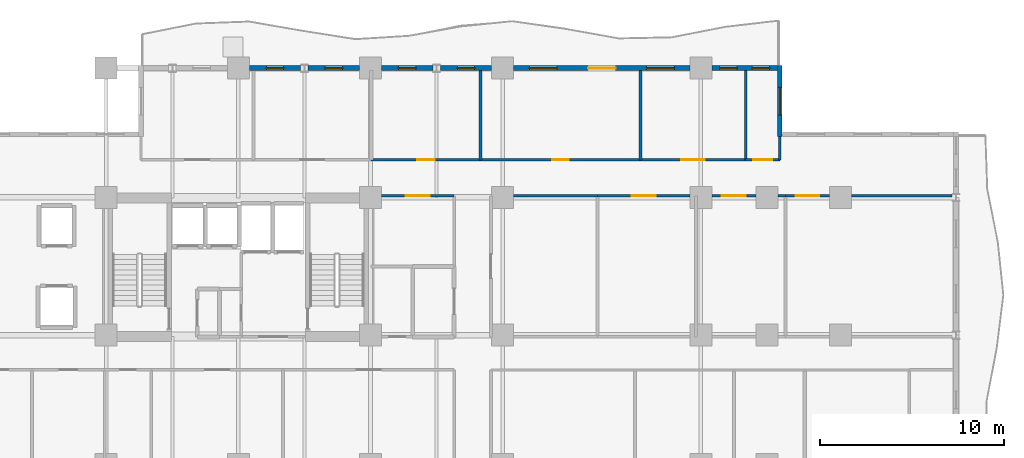
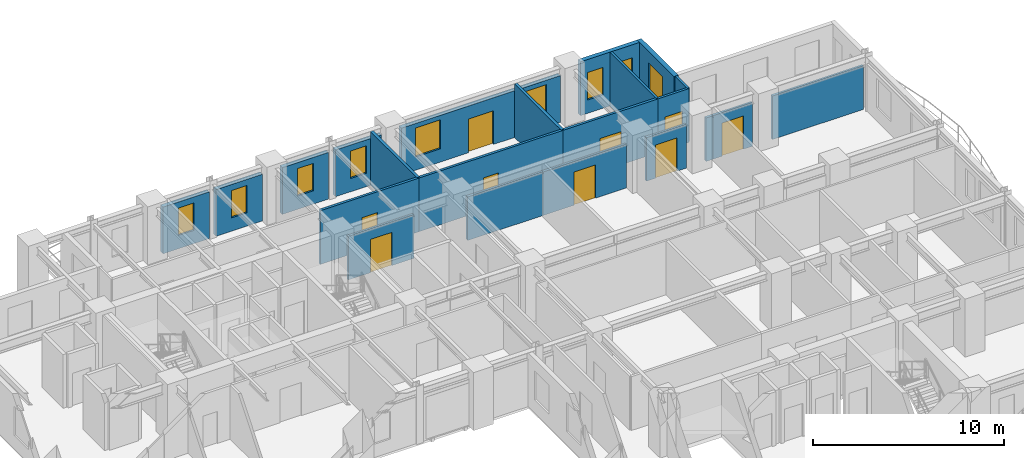
# One storey, part 7 of 11: 22 walls, 9 doors, 9 windows, 18 openings.
"""IFC4 building model written with IfcOpenShell, lengths in metres."""

from ifc_helpers import new_model, si_unit, direction, frame, frame_2d, origin, place, context, subcontext, project, spatial, rectangle, extrude, material, layer, layer_set, type_object, element, fill, save


model = new_model("IFC4")

# Units and contexts
model_context = context("Model", 3, precision=1e-05, world=origin(), true_north=direction((0.0, 1.0)))
body_context = subcontext(model_context, "Body", "Model", "MODEL_VIEW")
ifc_project = project(units=[si_unit("LENGTHUNIT", "METRE"), si_unit("AREAUNIT", "SQUARE_METRE"), si_unit("VOLUMEUNIT", "CUBIC_METRE"), si_unit("PLANEANGLEUNIT", "RADIAN"), si_unit("MASSUNIT", "GRAM", prefix="KILO")], contexts=[model_context])

# Site, building, storey
site_placement = place(None, origin())
site = spatial("IfcSite", under=ifc_project, at=site_placement, CompositionType="ELEMENT")
building_placement = place(site_placement, origin())
building = spatial("IfcBuilding", under=site, at=building_placement, Name="Kaliganga Portal Commons", CompositionType="ELEMENT")
storey_placement = place(building_placement, frame((0.0, 0.0, 111.89990234375)))
storey = spatial("IfcBuildingStorey", under=building, at=storey_placement, Name="L28", CompositionType="ELEMENT", Elevation=111.89990234375)

# Wall, opening, window
ifc_material_1 = material(Name="Insulated Aluminium-Clad Spandrel Assembly", Category="aluminium")
ifc_layer_1 = layer(ifc_material_1, 0.260009765625)
ifc_layer_set_1 = layer_set([ifc_layer_1], Name="Insulated Aluminium-Clad Spandrel Assembly")
wall_type_1 = type_object("IfcWallType", Name="WL-EXT-SPAND-260", PredefinedType="STANDARD", material=ifc_layer_set_1)
wall_1_placement = place(storey_placement, frame((51.10009765625, 43.330078125, 0.0), z_axis=(0.0, 0.0, 1.0), x_axis=(0.0, -1.0, 0.0)))
wall_1 = element("IfcWall", 1, at=wall_1_placement, inside=storey, type_object=wall_type_1, Name="Exterior Envelope Wall L28 P1-E05-S1", PredefinedType="STANDARD", context=body_context, shape_type="SweptSolid", body=[
    extrude(rectangle(XDim=3.860107421875, YDim=0.260009765625, at=frame_2d((1.93017578125, 0.0))), origin(), (0.0, 0.0, 1.0), 3.43017578125),
])
opening_1_placement = place(wall_1_placement, frame((1.179931640625, 0.0, 0.85009765625)))
opening_1 = element("IfcOpeningElement", 2, at=opening_1_placement, cuts=wall_1, Name="Opening W-02", PredefinedType="OPENING", context=body_context, shape_type="SweptSolid", body=[
    extrude(rectangle(XDim=1.5, YDim=1.85009765625, at=frame_2d((0.75, 0.925048828125))), frame((0.0, 0.14013671875, 0.0), z_axis=(0.0, -1.0, 0.0), x_axis=(1.0, 0.0, 0.0)), (0.0, 0.0, 1.0), 0.280029296875),
])
ifc_material_2 = material(Name="Thermally Broken Aluminium and Low-E Double Glazing", Category="aluminium")
window_type_1 = type_object("IfcWindowType", Name="WIN-STD-1500", PartitioningType="DOUBLE_PANEL_VERTICAL", PredefinedType="WINDOW", material=ifc_material_2)
window_1_placement = place(opening_1_placement, origin())
window_1 = element("IfcWindow", 3, at=window_1_placement, inside=storey, type_object=window_type_1, Name="Facade Window L28-P1E05S1-00", OverallHeight=1.85009765625, OverallWidth=1.5, PartitioningType="SINGLE_PANEL", PredefinedType="WINDOW", context=body_context, shape_type="SweptSolid", body=[
    extrude(rectangle(XDim=1.5, YDim=1.85009765625, at=frame_2d((0.75, 0.925048828125))), frame((0.0, 0.030029296875, 0.0), z_axis=(0.0, -1.0, 0.0), x_axis=(1.0, 0.0, 0.0)), (0.0, 0.0, 1.0), 0.06005859375),
])
fill(opening_1, window_1)

# Wall, openings, windows
wall_2_placement = place(storey_placement, frame((47.40087890625, 43.199951171875, 0.0), z_axis=(0.0, 0.0, 1.0), x_axis=(1.0, 0.0, 0.0)))
wall_2 = element("IfcWall", 4, at=wall_2_placement, inside=storey, type_object=wall_type_1, Name="Exterior Envelope Wall L28 P1-E06-S1", PredefinedType="STANDARD", context=body_context, shape_type="SweptSolid", body=[
    extrude(rectangle(XDim=3.564208984375, YDim=0.260009765625, at=frame_2d((1.7822265625, 0.0))), origin(), (0.0, 0.0, 1.0), 3.43017578125),
])
opening_2_placement = place(wall_2_placement, frame((0.423095703125, 0.0, 0.85009765625)))
opening_2 = element("IfcOpeningElement", 5, at=opening_2_placement, cuts=wall_2, Name="Opening W-04", PredefinedType="OPENING", context=body_context, shape_type="SweptSolid", body=[
    extrude(rectangle(XDim=0.949951171875, YDim=1.75, at=frame_2d((0.47509765625, 0.875))), frame((0.0, 0.14013671875, 0.0), z_axis=(0.0, -1.0, 0.0), x_axis=(1.0, 0.0, 0.0)), (0.0, 0.0, 1.0), 0.280029296875),
])
opening_3_placement = place(wall_2_placement, frame((2.19091796875, 0.0, 0.85009765625)))
opening_3 = element("IfcOpeningElement", 6, at=opening_3_placement, cuts=wall_2, Name="Opening W-04", PredefinedType="OPENING", context=body_context, shape_type="SweptSolid", body=[
    extrude(rectangle(XDim=0.949951171875, YDim=1.75, at=frame_2d((0.47509765625, 0.875))), frame((0.0, 0.14013671875, 0.0), z_axis=(0.0, -1.0, 0.0), x_axis=(1.0, 0.0, 0.0)), (0.0, 0.0, 1.0), 0.280029296875),
])
window_type_2 = type_object("IfcWindowType", Name="WIN-NARROW-950", PartitioningType="SINGLE_PANEL", PredefinedType="WINDOW", material=ifc_material_2)
window_2_placement = place(opening_2_placement, origin())
window_2 = element("IfcWindow", 7, at=window_2_placement, inside=storey, type_object=window_type_2, Name="Facade Window L28-P1E06S1-N1", OverallHeight=1.75, OverallWidth=0.949951171875, PartitioningType="SINGLE_PANEL", PredefinedType="WINDOW", context=body_context, shape_type="SweptSolid", body=[
    extrude(rectangle(XDim=0.949951171875, YDim=1.75, at=frame_2d((0.47509765625, 0.875))), frame((0.0, 0.030029296875, 0.0), z_axis=(0.0, -1.0, 0.0), x_axis=(1.0, 0.0, 0.0)), (0.0, 0.0, 1.0), 0.06005859375),
])
fill(opening_2, window_2)
window_3_placement = place(opening_3_placement, origin())
window_3 = element("IfcWindow", 8, at=window_3_placement, inside=storey, type_object=window_type_2, Name="Facade Window L28-P1E06S1-N2", OverallHeight=1.75, OverallWidth=0.949951171875, PartitioningType="SINGLE_PANEL", PredefinedType="WINDOW", context=body_context, shape_type="SweptSolid", body=[
    extrude(rectangle(XDim=0.949951171875, YDim=1.75, at=frame_2d((0.47509765625, 0.875))), frame((0.0, 0.030029296875, 0.0), z_axis=(0.0, -1.0, 0.0), x_axis=(1.0, 0.0, 0.0)), (0.0, 0.0, 1.0), 0.06005859375),
])
fill(opening_3, window_3)

# Wall, openings, door, windows
wall_3_placement = place(storey_placement, frame((36.60107421875, 43.199951171875, 0.0), z_axis=(0.0, 0.0, 1.0), x_axis=(1.0, 0.0, 0.0)))
wall_3 = element("IfcWall", 9, at=wall_3_placement, inside=storey, type_object=wall_type_1, Name="Exterior Envelope Wall L28 P1-E06-S2", PredefinedType="STANDARD", context=body_context, shape_type="SweptSolid", body=[
    extrude(rectangle(XDim=9.597900390625, YDim=0.260009765625, at=frame_2d((4.798828125, 0.0))), origin(), (0.0, 0.0, 1.0), 2.97998046875),
])
opening_4_placement = place(wall_3_placement, frame((4.049072265625, 0.0, 0.0)))
opening_4 = element("IfcOpeningElement", 10, at=opening_4_placement, cuts=wall_3, Name="Opening BD-01", PredefinedType="OPENING", context=body_context, shape_type="SweptSolid", body=[
    extrude(rectangle(XDim=1.5, YDim=2.14990234375, at=frame_2d((0.75, 1.074951171875))), frame((0.0, 0.14013671875, 0.0), z_axis=(0.0, -1.0, 0.0), x_axis=(1.0, 0.0, 0.0)), (0.0, 0.0, 1.0), 0.280029296875),
])
opening_5_placement = place(wall_3_placement, frame((0.849609375, 0.0, 0.85009765625)))
opening_5 = element("IfcOpeningElement", 11, at=opening_5_placement, cuts=wall_3, Name="Opening W-02", PredefinedType="OPENING", context=body_context, shape_type="SweptSolid", body=[
    extrude(rectangle(XDim=1.5, YDim=1.85009765625, at=frame_2d((0.75, 0.925048828125))), frame((0.0, 0.14013671875, 0.0), z_axis=(0.0, -1.0, 0.0), x_axis=(1.0, 0.0, 0.0)), (0.0, 0.0, 1.0), 0.280029296875),
])
opening_6_placement = place(wall_3_placement, frame((7.248291015625, 0.0, 0.85009765625)))
opening_6 = element("IfcOpeningElement", 12, at=opening_6_placement, cuts=wall_3, Name="Opening W-02", PredefinedType="OPENING", context=body_context, shape_type="SweptSolid", body=[
    extrude(rectangle(XDim=1.5, YDim=1.85009765625, at=frame_2d((0.75, 0.925048828125))), frame((0.0, 0.14013671875, 0.0), z_axis=(0.0, -1.0, 0.0), x_axis=(1.0, 0.0, 0.0)), (0.0, 0.0, 1.0), 0.280029296875),
])
ifc_material_3 = material(Name="Anodized Aluminium and Laminated Safety Glass", Category="aluminium")
door_type_1 = type_object("IfcDoorType", Name="DR-BALC-1500", OperationType="SLIDING_TO_LEFT", PredefinedType="DOOR", material=ifc_material_3)
door_1_placement = place(opening_4_placement, origin())
door_1 = element("IfcDoor", 13, at=door_1_placement, inside=storey, type_object=door_type_1, Name="Balcony Sliding Door L28 balc_north", OperationType="SLIDING_TO_LEFT", OverallHeight=2.14990234375, OverallWidth=1.5, PredefinedType="DOOR", context=body_context, shape_type="SweptSolid", body=[
    extrude(rectangle(XDim=1.5, YDim=2.14990234375, at=frame_2d((0.75, 1.074951171875))), frame((0.0, 0.02490234375, 0.0), z_axis=(0.0, -1.0, 0.0), x_axis=(1.0, 0.0, 0.0)), (0.0, 0.0, 1.0), 0.050048828125),
])
fill(opening_4, door_1)
window_4_placement = place(opening_5_placement, origin())
window_4 = element("IfcWindow", 14, at=window_4_placement, inside=storey, type_object=window_type_1, Name="Facade Window L28-P1E06S2-00", OverallHeight=1.85009765625, OverallWidth=1.5, PartitioningType="SINGLE_PANEL", PredefinedType="WINDOW", context=body_context, shape_type="SweptSolid", body=[
    extrude(rectangle(XDim=1.5, YDim=1.85009765625, at=frame_2d((0.75, 0.925048828125))), frame((0.0, 0.030029296875, 0.0), z_axis=(0.0, -1.0, 0.0), x_axis=(1.0, 0.0, 0.0)), (0.0, 0.0, 1.0), 0.06005859375),
])
fill(opening_5, window_4)
window_5_placement = place(opening_6_placement, origin())
window_5 = element("IfcWindow", 15, at=window_5_placement, inside=storey, type_object=window_type_1, Name="Facade Window L28-P1E06S2-02", OverallHeight=1.85009765625, OverallWidth=1.5, PartitioningType="SINGLE_PANEL", PredefinedType="WINDOW", context=body_context, shape_type="SweptSolid", body=[
    extrude(rectangle(XDim=1.5, YDim=1.85009765625, at=frame_2d((0.75, 0.925048828125))), frame((0.0, 0.030029296875, 0.0), z_axis=(0.0, -1.0, 0.0), x_axis=(1.0, 0.0, 0.0)), (0.0, 0.0, 1.0), 0.06005859375),
])
fill(opening_6, window_5)

# Wall, opening, window
wall_4_placement = place(storey_placement, frame((32.60546875, 43.199951171875, 0.0), z_axis=(0.0, 0.0, 1.0), x_axis=(1.0, 0.0, 0.0)))
wall_4 = element("IfcWall", 16, at=wall_4_placement, inside=storey, type_object=wall_type_1, Name="Exterior Envelope Wall L28 P1-E06-S3", PredefinedType="STANDARD", context=body_context, shape_type="SweptSolid", body=[
    extrude(rectangle(XDim=2.79345703125, YDim=0.260009765625, at=frame_2d((1.396728515625, 0.0))), origin(), (0.0, 0.0, 1.0), 2.97998046875),
])
opening_7_placement = place(wall_4_placement, frame((0.921875, 0.0, 0.85009765625)))
opening_7 = element("IfcOpeningElement", 17, at=opening_7_placement, cuts=wall_4, Name="Opening W-04", PredefinedType="OPENING", context=body_context, shape_type="SweptSolid", body=[
    extrude(rectangle(XDim=0.949951171875, YDim=1.75, at=frame_2d((0.47509765625, 0.875))), frame((0.0, 0.14013671875, 0.0), z_axis=(0.0, -1.0, 0.0), x_axis=(1.0, 0.0, 0.0)), (0.0, 0.0, 1.0), 0.280029296875),
])
window_6_placement = place(opening_7_placement, origin())
window_6 = element("IfcWindow", 18, at=window_6_placement, inside=storey, type_object=window_type_2, Name="Facade Window L28-P1E06S3-00", OverallHeight=1.75, OverallWidth=0.949951171875, PartitioningType="SINGLE_PANEL", PredefinedType="WINDOW", context=body_context, shape_type="SweptSolid", body=[
    extrude(rectangle(XDim=0.949951171875, YDim=1.75, at=frame_2d((0.47509765625, 0.875))), frame((0.0, 0.030029296875, 0.0), z_axis=(0.0, -1.0, 0.0), x_axis=(1.0, 0.0, 0.0)), (0.0, 0.0, 1.0), 0.06005859375),
])
fill(opening_7, window_6)

wall_5_placement = place(storey_placement, frame((29.40087890625, 43.199951171875, 0.0), z_axis=(0.0, 0.0, 1.0), x_axis=(1.0, 0.0, 0.0)))
wall_5 = element("IfcWall", 19, at=wall_5_placement, inside=storey, type_object=wall_type_1, Name="Exterior Envelope Wall L28 P1-E06-S4", PredefinedType="STANDARD", context=body_context, shape_type="SweptSolid", body=[
    extrude(rectangle(XDim=2.793701171875, YDim=0.260009765625, at=frame_2d((1.39697265625, 0.0))), origin(), (0.0, 0.0, 1.0), 2.97998046875),
])
opening_8_placement = place(wall_5_placement, frame((0.921630859375, 0.0, 0.85009765625)))
opening_8 = element("IfcOpeningElement", 20, at=opening_8_placement, cuts=wall_5, Name="Opening W-04", PredefinedType="OPENING", context=body_context, shape_type="SweptSolid", body=[
    extrude(rectangle(XDim=0.949951171875, YDim=1.75, at=frame_2d((0.47509765625, 0.875))), frame((0.0, 0.14013671875, 0.0), z_axis=(0.0, -1.0, 0.0), x_axis=(1.0, 0.0, 0.0)), (0.0, 0.0, 1.0), 0.280029296875),
])
window_7_placement = place(opening_8_placement, origin())
window_7 = element("IfcWindow", 21, at=window_7_placement, inside=storey, type_object=window_type_2, Name="Facade Window L28-P1E06S4-00", OverallHeight=1.75, OverallWidth=0.949951171875, PartitioningType="SINGLE_PANEL", PredefinedType="WINDOW", context=body_context, shape_type="SweptSolid", body=[
    extrude(rectangle(XDim=0.949951171875, YDim=1.75, at=frame_2d((0.47509765625, 0.875))), frame((0.0, 0.030029296875, 0.0), z_axis=(0.0, -1.0, 0.0), x_axis=(1.0, 0.0, 0.0)), (0.0, 0.0, 1.0), 0.06005859375),
])
fill(opening_8, window_7)

wall_6_placement = place(storey_placement, frame((25.405517578125, 43.199951171875, 0.0), z_axis=(0.0, 0.0, 1.0), x_axis=(1.0, 0.0, 0.0)))
wall_6 = element("IfcWall", 22, at=wall_6_placement, inside=storey, type_object=wall_type_1, Name="Exterior Envelope Wall L28 P1-E06-S5", PredefinedType="STANDARD", context=body_context, shape_type="SweptSolid", body=[
    extrude(rectangle(XDim=2.79345703125, YDim=0.260009765625, at=frame_2d((1.396728515625, 0.0))), origin(), (0.0, 0.0, 1.0), 2.97998046875),
])
opening_9_placement = place(wall_6_placement, frame((0.921875, 0.0, 0.85009765625)))
opening_9 = element("IfcOpeningElement", 23, at=opening_9_placement, cuts=wall_6, Name="Opening W-04", PredefinedType="OPENING", context=body_context, shape_type="SweptSolid", body=[
    extrude(rectangle(XDim=0.949951171875, YDim=1.75, at=frame_2d((0.47509765625, 0.875))), frame((0.0, 0.14013671875, 0.0), z_axis=(0.0, -1.0, 0.0), x_axis=(1.0, 0.0, 0.0)), (0.0, 0.0, 1.0), 0.280029296875),
])
window_8_placement = place(opening_9_placement, origin())
window_8 = element("IfcWindow", 24, at=window_8_placement, inside=storey, type_object=window_type_2, Name="Facade Window L28-P1E06S5-00", OverallHeight=1.75, OverallWidth=0.949951171875, PartitioningType="SINGLE_PANEL", PredefinedType="WINDOW", context=body_context, shape_type="SweptSolid", body=[
    extrude(rectangle(XDim=0.949951171875, YDim=1.75, at=frame_2d((0.47509765625, 0.875))), frame((0.0, 0.030029296875, 0.0), z_axis=(0.0, -1.0, 0.0), x_axis=(1.0, 0.0, 0.0)), (0.0, 0.0, 1.0), 0.06005859375),
])
fill(opening_9, window_8)

wall_7_placement = place(storey_placement, frame((22.200927734375, 43.199951171875, 0.0), z_axis=(0.0, 0.0, 1.0), x_axis=(1.0, 0.0, 0.0)))
wall_7 = element("IfcWall", 25, at=wall_7_placement, inside=storey, type_object=wall_type_1, Name="Exterior Envelope Wall L28 P1-E06-S6", PredefinedType="STANDARD", context=body_context, shape_type="SweptSolid", body=[
    extrude(rectangle(XDim=2.79345703125, YDim=0.260009765625, at=frame_2d((1.396728515625, 0.0))), origin(), (0.0, 0.0, 1.0), 2.97998046875),
])
opening_10_placement = place(wall_7_placement, frame((0.921630859375, 0.0, 0.85009765625)))
opening_10 = element("IfcOpeningElement", 26, at=opening_10_placement, cuts=wall_7, Name="Opening W-04", PredefinedType="OPENING", context=body_context, shape_type="SweptSolid", body=[
    extrude(rectangle(XDim=0.949951171875, YDim=1.75, at=frame_2d((0.47509765625, 0.875))), frame((0.0, 0.14013671875, 0.0), z_axis=(0.0, -1.0, 0.0), x_axis=(1.0, 0.0, 0.0)), (0.0, 0.0, 1.0), 0.280029296875),
])
window_9_placement = place(opening_10_placement, origin())
window_9 = element("IfcWindow", 27, at=window_9_placement, inside=storey, type_object=window_type_2, Name="Facade Window L28-P1E06S6-00", OverallHeight=1.75, OverallWidth=0.949951171875, PartitioningType="SINGLE_PANEL", PredefinedType="WINDOW", context=body_context, shape_type="SweptSolid", body=[
    extrude(rectangle(XDim=0.949951171875, YDim=1.75, at=frame_2d((0.47509765625, 0.875))), frame((0.0, 0.030029296875, 0.0), z_axis=(0.0, -1.0, 0.0), x_axis=(1.0, 0.0, 0.0)), (0.0, 0.0, 1.0), 0.06005859375),
])
fill(opening_10, window_9)

# Wall, opening, door
ifc_material_4 = material(Name="Fire-Rated Gypsum Board on Steel Stud", Category="steel")
ifc_layer_2 = layer(ifc_material_4, 0.14990234375)
ifc_layer_set_2 = layer_set([ifc_layer_2], Name="Fire-Rated Gypsum Board on Steel Stud")
wall_type_2 = type_object("IfcWallType", Name="WL-PART-CORR-150", PredefinedType="PARTITIONING", material=ifc_layer_set_2)
wall_8_placement = place(storey_placement, frame((51.419921875, 36.239990234375, 0.0), z_axis=(0.0, 0.0, 1.0), x_axis=(1.0, 0.0, 0.0)))
wall_8 = element("IfcWall", 28, at=wall_8_placement, inside=storey, type_object=wall_type_2, Name="Interior Partition L28-006", PredefinedType="PARTITIONING", context=body_context, shape_type="SweptSolid", body=[
    extrude(rectangle(XDim=2.380126953125, YDim=0.14990234375, at=frame_2d((1.18994140625, 0.0))), origin(), (0.0, 0.0, 1.0), 2.780029296875),
])
opening_11_placement = place(wall_8_placement, frame((0.5400390625, 0.0, 0.0)))
opening_11 = element("IfcOpeningElement", 29, at=opening_11_placement, cuts=wall_8, Name="Opening RD-03", PredefinedType="OPENING", context=body_context, shape_type="SweptSolid", body=[
    extrude(rectangle(XDim=1.300048828125, YDim=2.1201171875, at=frame_2d((0.64990234375, 1.06005859375))), frame((0.0, 0.0849609375, 0.0), z_axis=(0.0, -1.0, 0.0), x_axis=(1.0, 0.0, 0.0)), (0.0, 0.0, 1.0), 0.169921875),
])
ifc_material_5 = material(Name="Glazed Timber Seminar Vision Door", Category="wood")
door_type_2 = type_object("IfcDoorType", Name="DR-STUDY-1300", OperationType="DOUBLE_DOOR_SINGLE_SWING", PredefinedType="DOOR", material=ifc_material_5)
door_2_placement = place(opening_11_placement, origin())
door_2 = element("IfcDoor", 30, at=door_2_placement, inside=storey, type_object=door_type_2, Name="Interior Door L28-BK04", OperationType="DOUBLE_DOOR_SINGLE_SWING", OverallHeight=2.1201171875, OverallWidth=1.300048828125, PredefinedType="DOOR", context=body_context, shape_type="SweptSolid", body=[
    extrude(rectangle(XDim=1.300048828125, YDim=2.1201171875, at=frame_2d((0.64990234375, 1.06005859375))), frame((0.0, 0.02490234375, 0.0), z_axis=(0.0, -1.0, 0.0), x_axis=(1.0, 0.0, 0.0)), (0.0, 0.0, 1.0), 0.050048828125),
])
fill(opening_11, door_2)

# Wall
wall_9_placement = place(storey_placement, frame((55.0, 36.239990234375, 0.0), z_axis=(0.0, 0.0, 1.0), x_axis=(1.0, 0.0, 0.0)))
element("IfcWall", 31, at=wall_9_placement, inside=storey, type_object=wall_type_2, Name="Interior Partition L28-007", PredefinedType="PARTITIONING", context=body_context, shape_type="SweptSolid", body=[
    extrude(rectangle(XDim=5.49560546875, YDim=0.14990234375, at=frame_2d((2.747802734375, 0.0))), origin(), (0.0, 0.0, 1.0), 2.780029296875),
])

# Wall, opening, door
wall_10_placement = place(storey_placement, frame((34.800048828125, 38.199951171875, 0.0), z_axis=(0.0, 0.0, 1.0), x_axis=(1.0, 0.0, 0.0)))
wall_10 = element("IfcWall", 32, at=wall_10_placement, inside=storey, type_object=wall_type_2, Name="Interior Partition L28-008", PredefinedType="PARTITIONING", context=body_context, shape_type="SweptSolid", body=[
    extrude(rectangle(XDim=8.699951171875, YDim=0.14990234375, at=frame_2d((4.35009765625, 0.0))), origin(), (0.0, 0.0, 1.0), 3.43017578125),
])
opening_12_placement = place(wall_10_placement, frame((3.89990234375, 0.0, 0.0)))
opening_12 = element("IfcOpeningElement", 33, at=opening_12_placement, cuts=wall_10, Name="Opening RD-01", PredefinedType="OPENING", context=body_context, shape_type="SweptSolid", body=[
    extrude(rectangle(XDim=0.89990234375, YDim=2.080078125, at=frame_2d((0.449951171875, 1.0400390625))), frame((0.0, 0.0849609375, 0.0), z_axis=(0.0, -1.0, 0.0), x_axis=(1.0, 0.0, 0.0)), (0.0, 0.0, 1.0), 0.169921875),
])
ifc_material_6 = material(Name="Engineered Timber Flush Door", Category="wood")
door_type_3 = type_object("IfcDoorType", Name="DR-ROOM-900", OperationType="NOTDEFINED", PredefinedType="DOOR", material=ifc_material_6)
door_3_placement = place(opening_12_placement, origin())
door_3 = element("IfcDoor", 34, at=door_3_placement, inside=storey, type_object=door_type_3, Name="Interior Door L28-AN04", OperationType="SINGLE_SWING_RIGHT", OverallHeight=2.080078125, OverallWidth=0.89990234375, PredefinedType="DOOR", context=body_context, shape_type="SweptSolid", body=[
    extrude(rectangle(XDim=0.89990234375, YDim=2.080078125, at=frame_2d((0.449951171875, 1.0400390625))), frame((0.0, 0.02490234375, 0.0), z_axis=(0.0, -1.0, 0.0), x_axis=(1.0, 0.0, 0.0)), (0.0, 0.0, 1.0), 0.050048828125),
])
fill(opening_12, door_3)

wall_11_placement = place(storey_placement, frame((28.840087890625, 38.199951171875, 0.0), z_axis=(0.0, 0.0, 1.0), x_axis=(1.0, 0.0, 0.0)))
wall_11 = element("IfcWall", 35, at=wall_11_placement, inside=storey, type_object=wall_type_2, Name="Interior Partition L28-016", PredefinedType="PARTITIONING", context=body_context, shape_type="SweptSolid", body=[
    extrude(rectangle(XDim=5.9599609375, YDim=0.14990234375, at=frame_2d((2.97998046875, 0.0))), origin(), (0.0, 0.0, 1.0), 3.43017578125),
])
opening_13_placement = place(wall_11_placement, frame((2.5048828125, 0.0, 0.0)))
opening_13 = element("IfcOpeningElement", 36, at=opening_13_placement, cuts=wall_11, Name="Opening UD-01", PredefinedType="OPENING", context=body_context, shape_type="SweptSolid", body=[
    extrude(rectangle(XDim=0.949951171875, YDim=2.10009765625, at=frame_2d((0.47509765625, 1.050048828125))), frame((0.0, 0.0849609375, 0.0), z_axis=(0.0, -1.0, 0.0), x_axis=(1.0, 0.0, 0.0)), (0.0, 0.0, 1.0), 0.169921875),
])
ifc_material_7 = material(Name="Solid-Core Timber Acoustic Fire Door", Category="wood")
door_type_4 = type_object("IfcDoorType", Name="DR-UNIT-950", OperationType="NOTDEFINED", PredefinedType="DOOR", material=ifc_material_7)
door_4_placement = place(opening_13_placement, origin())
door_4 = element("IfcDoor", 37, at=door_4_placement, inside=storey, type_object=door_type_4, Name="Interior Door L28-AN03", OperationType="SINGLE_SWING_LEFT", OverallHeight=2.10009765625, OverallWidth=0.949951171875, PredefinedType="DOOR", context=body_context, shape_type="SweptSolid", body=[
    extrude(rectangle(XDim=0.949951171875, YDim=2.10009765625, at=frame_2d((0.47509765625, 1.050048828125))), frame((0.0, 0.02490234375, 0.0), z_axis=(0.0, -1.0, 0.0), x_axis=(1.0, 0.0, 0.0)), (0.0, 0.0, 1.0), 0.050048828125),
])
fill(opening_13, door_4)

# Wall
wall_12_placement = place(storey_placement, frame((36.60009765625, 36.239990234375, 0.0), z_axis=(0.0, 0.0, 1.0), x_axis=(1.0, 0.0, 0.0)))
element("IfcWall", 38, at=wall_12_placement, inside=storey, type_object=wall_type_2, Name="Interior Partition L28-017", PredefinedType="PARTITIONING", context=body_context, shape_type="SweptSolid", body=[
    extrude(rectangle(XDim=4.559814453125, YDim=0.14990234375, at=frame_2d((2.27978515625, 0.0))), origin(), (0.0, 0.0, 1.0), 2.780029296875),
])

# Wall, opening, door
wall_13_placement = place(storey_placement, frame((43.5, 38.199951171875, 0.0), z_axis=(0.0, 0.0, 1.0), x_axis=(1.0, 0.0, 0.0)))
wall_13 = element("IfcWall", 39, at=wall_13_placement, inside=storey, type_object=wall_type_2, Name="Interior Partition L28-018", PredefinedType="PARTITIONING", context=body_context, shape_type="SweptSolid", body=[
    extrude(rectangle(XDim=5.739990234375, YDim=0.14990234375, at=frame_2d((2.8701171875, 0.0))), origin(), (0.0, 0.0, 1.0), 3.43017578125),
])
opening_14_placement = place(wall_13_placement, frame((2.219970703125, 0.0, 0.0)))
opening_14 = element("IfcOpeningElement", 40, at=opening_14_placement, cuts=wall_13, Name="Opening RD-03", PredefinedType="OPENING", context=body_context, shape_type="SweptSolid", body=[
    extrude(rectangle(XDim=1.300048828125, YDim=2.1201171875, at=frame_2d((0.64990234375, 1.06005859375))), frame((0.0, 0.0849609375, 0.0), z_axis=(0.0, -1.0, 0.0), x_axis=(1.0, 0.0, 0.0)), (0.0, 0.0, 1.0), 0.169921875),
])
door_5_placement = place(opening_14_placement, origin())
door_5 = element("IfcDoor", 41, at=door_5_placement, inside=storey, type_object=door_type_2, Name="Interior Door L28-AN05", OperationType="DOUBLE_DOOR_SINGLE_SWING", OverallHeight=2.1201171875, OverallWidth=1.300048828125, PredefinedType="DOOR", context=body_context, shape_type="SweptSolid", body=[
    extrude(rectangle(XDim=1.300048828125, YDim=2.1201171875, at=frame_2d((0.64990234375, 1.06005859375))), frame((0.0, 0.02490234375, 0.0), z_axis=(0.0, -1.0, 0.0), x_axis=(1.0, 0.0, 0.0)), (0.0, 0.0, 1.0), 0.050048828125),
])
fill(opening_14, door_5)

wall_14_placement = place(storey_placement, frame((41.159912109375, 36.239990234375, 0.0), z_axis=(0.0, 0.0, 1.0), x_axis=(1.0, 0.0, 0.0)))
wall_14 = element("IfcWall", 42, at=wall_14_placement, inside=storey, type_object=wall_type_2, Name="Interior Partition L28-021", PredefinedType="PARTITIONING", context=body_context, shape_type="SweptSolid", body=[
    extrude(rectangle(XDim=5.0400390625, YDim=0.14990234375, at=frame_2d((2.52001953125, 0.0))), origin(), (0.0, 0.0, 1.0), 2.780029296875),
])
opening_15_placement = place(wall_14_placement, frame((1.8701171875, 0.0, 0.0)))
opening_15 = element("IfcOpeningElement", 43, at=opening_15_placement, cuts=wall_14, Name="Opening RD-03", PredefinedType="OPENING", context=body_context, shape_type="SweptSolid", body=[
    extrude(rectangle(XDim=1.300048828125, YDim=2.1201171875, at=frame_2d((0.64990234375, 1.06005859375))), frame((0.0, 0.0849609375, 0.0), z_axis=(0.0, -1.0, 0.0), x_axis=(1.0, 0.0, 0.0)), (0.0, 0.0, 1.0), 0.169921875),
])
door_6_placement = place(opening_15_placement, origin())
door_6 = element("IfcDoor", 44, at=door_6_placement, inside=storey, type_object=door_type_2, Name="Interior Door L28-BK02", OperationType="DOUBLE_DOOR_SINGLE_SWING", OverallHeight=2.1201171875, OverallWidth=1.300048828125, PredefinedType="DOOR", context=body_context, shape_type="SweptSolid", body=[
    extrude(rectangle(XDim=1.300048828125, YDim=2.1201171875, at=frame_2d((0.64990234375, 1.06005859375))), frame((0.0, 0.02490234375, 0.0), z_axis=(0.0, -1.0, 0.0), x_axis=(1.0, 0.0, 0.0)), (0.0, 0.0, 1.0), 0.050048828125),
])
fill(opening_15, door_6)

wall_15_placement = place(storey_placement, frame((47.39990234375, 36.239990234375, 0.0), z_axis=(0.0, 0.0, 1.0), x_axis=(1.0, 0.0, 0.0)))
wall_15 = element("IfcWall", 45, at=wall_15_placement, inside=storey, type_object=wall_type_2, Name="Interior Partition L28-023", PredefinedType="PARTITIONING", context=body_context, shape_type="SweptSolid", body=[
    extrude(rectangle(XDim=2.400146484375, YDim=0.14990234375, at=frame_2d((1.2001953125, 0.0))), origin(), (0.0, 0.0, 1.0), 2.780029296875),
])
opening_16_placement = place(wall_15_placement, frame((0.550048828125, 0.0, 0.0)))
opening_16 = element("IfcOpeningElement", 46, at=opening_16_placement, cuts=wall_15, Name="Opening RD-03", PredefinedType="OPENING", context=body_context, shape_type="SweptSolid", body=[
    extrude(rectangle(XDim=1.300048828125, YDim=2.1201171875, at=frame_2d((0.64990234375, 1.06005859375))), frame((0.0, 0.0849609375, 0.0), z_axis=(0.0, -1.0, 0.0), x_axis=(1.0, 0.0, 0.0)), (0.0, 0.0, 1.0), 0.169921875),
])
door_7_placement = place(opening_16_placement, origin())
door_7 = element("IfcDoor", 47, at=door_7_placement, inside=storey, type_object=door_type_2, Name="Interior Door L28-BK03", OperationType="DOUBLE_DOOR_SINGLE_SWING", OverallHeight=2.1201171875, OverallWidth=1.300048828125, PredefinedType="DOOR", context=body_context, shape_type="SweptSolid", body=[
    extrude(rectangle(XDim=1.300048828125, YDim=2.1201171875, at=frame_2d((0.64990234375, 1.06005859375))), frame((0.0, 0.02490234375, 0.0), z_axis=(0.0, -1.0, 0.0), x_axis=(1.0, 0.0, 0.0)), (0.0, 0.0, 1.0), 0.050048828125),
])
fill(opening_16, door_7)

# Wall
wall_16_placement = place(storey_placement, frame((51.0, 36.239990234375, 0.0), z_axis=(0.0, 0.0, 1.0), x_axis=(1.0, 0.0, 0.0)))
element("IfcWall", 48, at=wall_16_placement, inside=storey, type_object=wall_type_2, Name="Interior Partition L28-024", PredefinedType="PARTITIONING", context=body_context, shape_type="SweptSolid", body=[
    extrude(rectangle(XDim=0.419921875, YDim=0.14990234375, at=frame_2d((0.2099609375, 0.0))), origin(), (0.0, 0.0, 1.0), 2.780029296875),
])

# Wall, opening, door
wall_17_placement = place(storey_placement, frame((29.39990234375, 36.239990234375, 0.0), z_axis=(0.0, 0.0, 1.0), x_axis=(1.0, 0.0, 0.0)))
wall_17 = element("IfcWall", 49, at=wall_17_placement, inside=storey, type_object=wall_type_2, Name="Interior Partition L28-025", PredefinedType="PARTITIONING", context=body_context, shape_type="SweptSolid", body=[
    extrude(rectangle(XDim=3.960205078125, YDim=0.14990234375, at=frame_2d((1.97998046875, 0.0))), origin(), (0.0, 0.0, 1.0), 2.780029296875),
])
opening_17_placement = place(wall_17_placement, frame((1.330078125, 0.0, 0.0)))
opening_17 = element("IfcOpeningElement", 50, at=opening_17_placement, cuts=wall_17, Name="Opening RD-03", PredefinedType="OPENING", context=body_context, shape_type="SweptSolid", body=[
    extrude(rectangle(XDim=1.300048828125, YDim=2.1201171875, at=frame_2d((0.64990234375, 1.06005859375))), frame((0.0, 0.0849609375, 0.0), z_axis=(0.0, -1.0, 0.0), x_axis=(1.0, 0.0, 0.0)), (0.0, 0.0, 1.0), 0.169921875),
])
door_8_placement = place(opening_17_placement, origin())
door_8 = element("IfcDoor", 51, at=door_8_placement, inside=storey, type_object=door_type_2, Name="Interior Door L28-CSRV_A2", OperationType="DOUBLE_DOOR_SINGLE_SWING", OverallHeight=2.1201171875, OverallWidth=1.300048828125, PredefinedType="DOOR", context=body_context, shape_type="SweptSolid", body=[
    extrude(rectangle(XDim=1.300048828125, YDim=2.1201171875, at=frame_2d((0.64990234375, 1.06005859375))), frame((0.0, 0.02490234375, 0.0), z_axis=(0.0, -1.0, 0.0), x_axis=(1.0, 0.0, 0.0)), (0.0, 0.0, 1.0), 0.050048828125),
])
fill(opening_17, door_8)

wall_18_placement = place(storey_placement, frame((49.239990234375, 38.199951171875, 0.0), z_axis=(0.0, 0.0, 1.0), x_axis=(1.0, 0.0, 0.0)))
wall_18 = element("IfcWall", 52, at=wall_18_placement, inside=storey, type_object=wall_type_2, Name="Interior Partition L28-037", PredefinedType="PARTITIONING", context=body_context, shape_type="SweptSolid", body=[
    extrude(rectangle(XDim=1.860107421875, YDim=0.14990234375, at=frame_2d((0.93017578125, 0.0))), origin(), (0.0, 0.0, 1.0), 3.43017578125),
])
opening_18_placement = place(wall_18_placement, frame((0.405029296875, 0.0, 0.0)))
opening_18 = element("IfcOpeningElement", 53, at=opening_18_placement, cuts=wall_18, Name="Opening UD-02", PredefinedType="OPENING", context=body_context, shape_type="SweptSolid", body=[
    extrude(rectangle(XDim=1.050048828125, YDim=2.1201171875, at=frame_2d((0.52490234375, 1.06005859375))), frame((0.0, 0.0849609375, 0.0), z_axis=(0.0, -1.0, 0.0), x_axis=(1.0, 0.0, 0.0)), (0.0, 0.0, 1.0), 0.169921875),
])
ifc_material_8 = material(Name="Accessible Wide-Leaf Acoustic Fire Door", Category="wood")
door_type_5 = type_object("IfcDoorType", Name="DR-ACC-1050", OperationType="NOTDEFINED", PredefinedType="DOOR", material=ifc_material_8)
door_9_placement = place(opening_18_placement, origin())
door_9 = element("IfcDoor", 54, at=door_9_placement, inside=storey, type_object=door_type_5, Name="Interior Door L28-AN06", OperationType="SINGLE_SWING_LEFT", OverallHeight=2.1201171875, OverallWidth=1.050048828125, PredefinedType="DOOR", context=body_context, shape_type="SweptSolid", body=[
    extrude(rectangle(XDim=1.050048828125, YDim=2.1201171875, at=frame_2d((0.52490234375, 1.06005859375))), frame((0.0, 0.02490234375, 0.0), z_axis=(0.0, -1.0, 0.0), x_axis=(1.0, 0.0, 0.0)), (0.0, 0.0, 1.0), 0.050048828125),
])
fill(opening_18, door_9)

# Walls
ifc_material_9 = material(Name="Twin-Stud Acoustic Gypsum Partition", Category="gypsum")
ifc_layer_3 = layer(ifc_material_9, 0.1650390625)
ifc_layer_set_3 = layer_set([ifc_layer_3], Name="Twin-Stud Acoustic Gypsum Partition")
wall_type_3 = type_object("IfcWallType", Name="WL-PART-UNIT-165", PredefinedType="PARTITIONING", material=ifc_layer_set_3)
for number, where, z_axis, x_axis, name in (
    (55, (34.800048828125, 38.199951171875, 0.0), (0.0, 0.0, 1.0), (0.0, 1.0, 0.0), "Interior Partition L28-064"),
    (56, (43.5, 38.199951171875, 0.0), (0.0, 0.0, 1.0), (0.0, 1.0, 0.0), "Interior Partition L28-065"),
):
    element("IfcWall", number, at=place(storey_placement, frame(where, z_axis=z_axis, x_axis=x_axis)), inside=storey, type_object=wall_type_3, Name=name, PredefinedType="PARTITIONING", context=body_context, shape_type="SweptSolid", body=[
        extrude(rectangle(XDim=4.8681640625, YDim=0.1650390625, at=frame_2d((2.43408203125, 0.0))), origin(), (0.0, 0.0, 1.0), 3.43017578125),
    ])
ifc_material_10 = material(Name="Cement-Board Wet-Room Partition", Category="gypsum")
ifc_layer_4 = layer(ifc_material_10, 0.135009765625)
ifc_layer_set_4 = layer_set([ifc_layer_4], Name="Cement-Board Wet-Room Partition")
wall_type_4 = type_object("IfcWallType", Name="WL-PART-WET-135", PredefinedType="PARTITIONING", material=ifc_layer_set_4)
wall_19_placement = place(storey_placement, frame((49.239990234375, 38.199951171875, 0.0), z_axis=(0.0, 0.0, 1.0), x_axis=(0.0, 1.0, 0.0)))
element("IfcWall", 57, at=wall_19_placement, inside=storey, type_object=wall_type_4, Name="Interior Partition L28-066", PredefinedType="PARTITIONING", context=body_context, shape_type="SweptSolid", body=[
    extrude(rectangle(XDim=4.8681640625, YDim=0.135009765625, at=frame_2d((2.43408203125, 0.0))), origin(), (0.0, 0.0, 1.0), 3.43017578125),
])
wall_20_placement = place(storey_placement, frame((51.10009765625, 38.199951171875, 0.0), z_axis=(0.0, 0.0, 1.0), x_axis=(0.0, 1.0, 0.0)))
element("IfcWall", 58, at=wall_20_placement, inside=storey, type_object=wall_type_4, Name="Interior Partition L28-067", PredefinedType="PARTITIONING", context=body_context, shape_type="SweptSolid", body=[
    extrude(rectangle(XDim=1.26806640625, YDim=0.135009765625, at=frame_2d((0.634033203125, 0.0))), origin(), (0.0, 0.0, 1.0), 3.43017578125),
])

save(model, "model.ifc")
